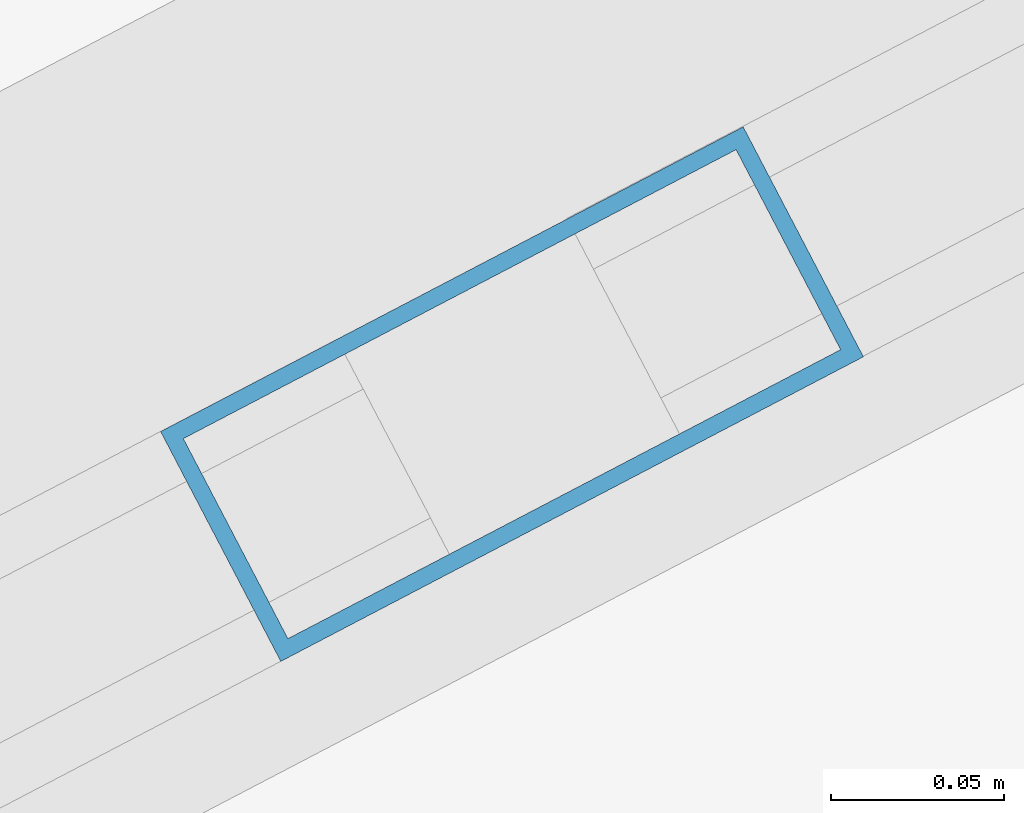
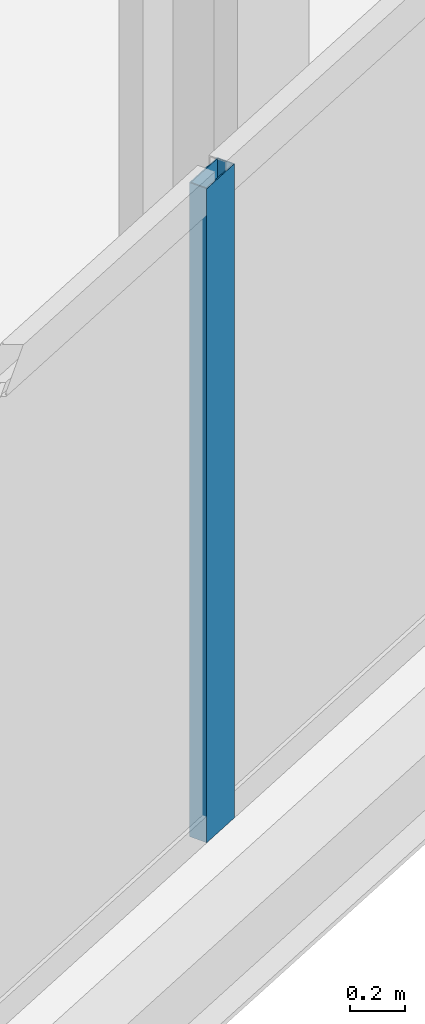
# One storey, part 9 of 33: 1 member, 1 element without a shape of its own.
"""IFC4 building model written with IfcOpenShell, lengths in metres."""

from ifc_helpers import new_model, si_unit, direction, frame, origin, origin_2d, place, context, subcontext, project, spatial, hollow_rectangle, extrude, material, material_profile, profile_set, type_object, element, aggregate, save


model = new_model("IFC4")

# Units and contexts
model_context = context("Model", 3, precision=1e-05, world=origin(), true_north=direction((0.0, 1.0)))
body_context = subcontext(model_context, "Body", "Model", "MODEL_VIEW")
ifc_project = project(units=[si_unit("LENGTHUNIT", "METRE"), si_unit("AREAUNIT", "SQUARE_METRE"), si_unit("VOLUMEUNIT", "CUBIC_METRE"), si_unit("PLANEANGLEUNIT", "RADIAN"), si_unit("MASSUNIT", "GRAM", prefix="KILO")], contexts=[model_context])

# Site, building, storey
site_placement = place(None, origin())
site = spatial("IfcSite", under=ifc_project, at=site_placement, CompositionType="ELEMENT")
building_placement = place(site_placement, origin())
building = spatial("IfcBuilding", under=site, at=building_placement, Name="Haldenkirk Collegiate Tower", CompositionType="ELEMENT")
storey_placement = place(building_placement, frame((0.0, 0.0, 120.449951171875)))
storey = spatial("IfcBuildingStorey", under=building, at=storey_placement, Name="L29", CompositionType="ELEMENT", Elevation=120.449951171875)

# Curtain wall, member
ifc_material = material(Name="Anodised architectural bronze aluminium", Category="aluminium")
curtain_wall_type = type_object("IfcCurtainWallType", Name="CW-SYS2-CONCAVE", PredefinedType="USERDEFINED", material=ifc_material)
curtain_wall_placement = place(storey_placement, origin())
curtain_wall = element("IfcCurtainWall", 1, at=curtain_wall_placement, inside=storey, type_object=curtain_wall_type, Name="L29 South concave recessed bronze-anodised curtain wall", ObjectType="UNITISED CURTAIN WALL", PredefinedType="USERDEFINED")
ifc_material_profile = material_profile(ifc_material, hollow_rectangle(XDim=0.074951171875, YDim=0.18994140625, WallThickness=0.0048828125, at=origin_2d()), Name="CW-MUL-02")
ifc_profile_set = profile_set([ifc_material_profile], Name="Anodised architectural bronze aluminium")
member_type = type_object("IfcMemberType", Name="CW-MUL-02", PredefinedType="MULLION", material=ifc_profile_set)
member_placement = place(storey_placement, frame((56.380615234375, 9.4091796875, 0.0), z_axis=(0.0, 0.0, 1.0), x_axis=(0.463296790536, -0.886203184309, 0.0)))
member = element("IfcMember", 2, at=member_placement, type_object=member_type, Name="CW-02 mullion 2", PredefinedType="MULLION", context=body_context, shape_type="SweptSolid", body=[
    extrude(hollow_rectangle(XDim=0.074951171875, YDim=0.18994140625, WallThickness=0.0048828125, at=origin_2d()), origin(), (0.0, 0.0, 1.0), 2.901123046875),
])
aggregate(curtain_wall, [member])

save(model, "model.ifc")
